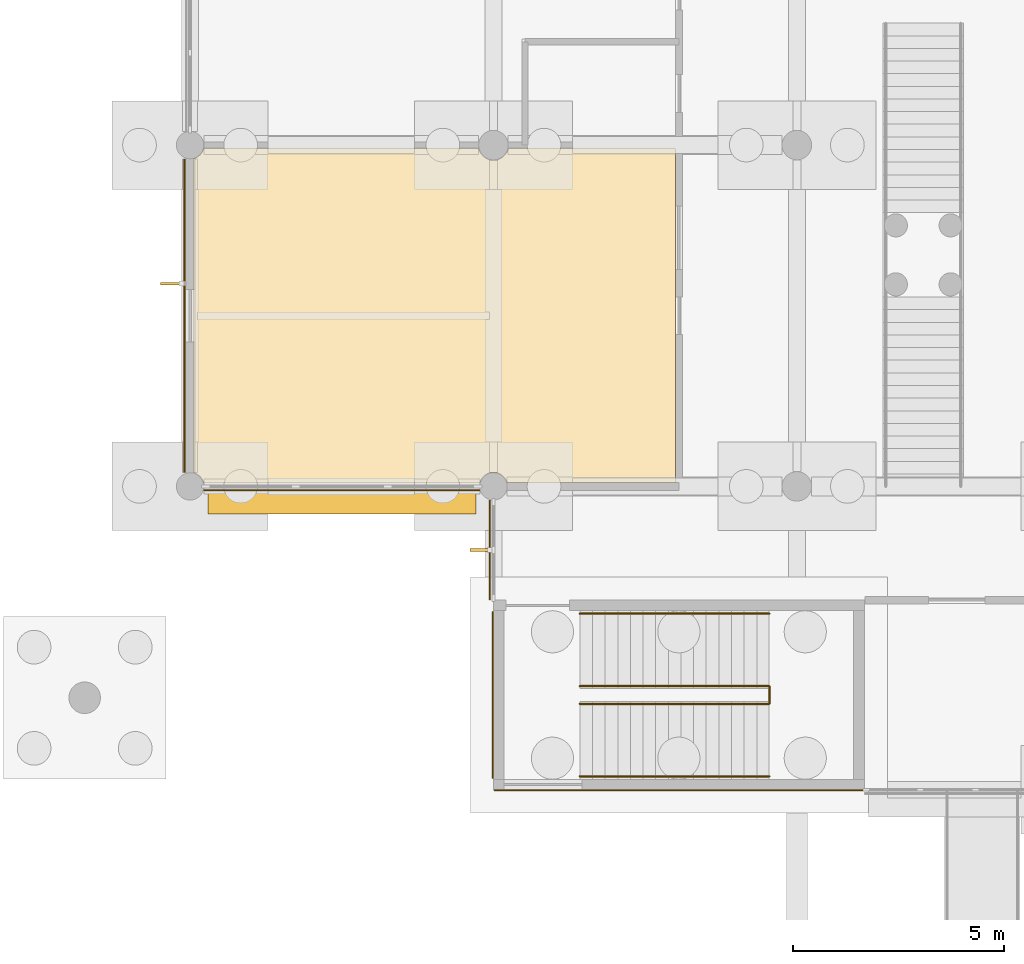
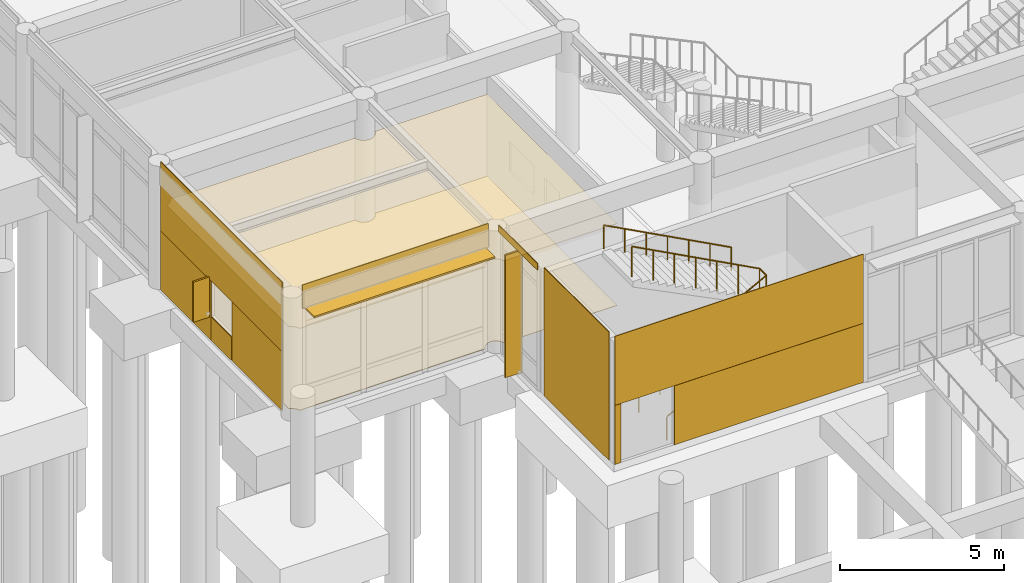
# One storey, part 78 of 103: 12 coverings, 3 railings, 3 shading devices.
"""IFC4 building model written with IfcOpenShell, lengths in metres."""

from ifc_helpers import new_model, si_unit, direction, frame, origin, origin_2d, place, context, subcontext, project, spatial, polyline, rectangle, circle, outline, extrude, material, layer, layer_set, type_object, element, save


model = new_model("IFC4")

# Units and contexts
model_context = context("Model", 3, precision=1e-05, world=origin(), true_north=direction((0.0, 1.0)))
body_context = subcontext(model_context, "Body", "Model", "MODEL_VIEW")
ifc_project = project(units=[si_unit("LENGTHUNIT", "METRE"), si_unit("AREAUNIT", "SQUARE_METRE"), si_unit("VOLUMEUNIT", "CUBIC_METRE"), si_unit("PLANEANGLEUNIT", "RADIAN"), si_unit("MASSUNIT", "GRAM", prefix="KILO")], contexts=[model_context])

# Site, building, storey
site_placement = place(None, origin())
site = spatial("IfcSite", under=ifc_project, at=site_placement, CompositionType="ELEMENT")
building_placement = place(site_placement, origin())
building = spatial("IfcBuilding", under=site, at=building_placement, Name="Namkhue Oval Health Centre", CompositionType="ELEMENT")
storey_placement = place(building_placement, origin())
storey = spatial("IfcBuildingStorey", under=building, at=storey_placement, Name="L00", CompositionType="ELEMENT", Elevation=0.0)

# Coverings
ifc_material_1 = material(Name="Acoustic mineral-fibre cleanroom ceiling", Category="gypsum")
ifc_layer_1 = layer(ifc_material_1, 0.02001953125)
ifc_layer_set_1 = layer_set([ifc_layer_1], Name="Acoustic mineral-fibre cleanroom ceiling")
covering_type_1 = type_object("IfcCoveringType", Name="ACOUSTIC CLEANROOM CEILING 20", PredefinedType="CEILING", material=ifc_layer_set_1)
covering_1_placement = place(storey_placement, frame((0.0, 0.0, 3.050048828125)))
element("IfcCovering", 1, at=covering_1_placement, inside=storey, type_object=covering_type_1, Name="Acoustic Ceiling L00-101 Triage Registration Clinic", PredefinedType="CEILING", context=body_context, shape_type="SweptSolid", body=[
    extrude(outline(polyline([(21.924560546875, 43.280029296875), (21.89013671875, 43.367431640625), (21.8369140625, 43.43701171875), (21.767578125, 43.489990234375), (21.686767578125, 43.523681640625), (21.60009765625, 43.534912109375), (21.51318359375, 43.523681640625), (21.4326171875, 43.489990234375), (21.363037109375, 43.43701171875), (21.309814453125, 43.367431640625), (21.276123046875, 43.284912109375), (14.723876953125, 43.284912109375), (14.690185546875, 43.367431640625), (14.636962890625, 43.43701171875), (14.5673828125, 43.489990234375), (14.485107421875, 43.523681640625), (14.485107421875, 50.976318359375), (14.5673828125, 51.010009765625), (14.636962890625, 51.06298828125), (14.690185546875, 51.132568359375), (14.724609375, 51.219970703125), (21.25048828125, 51.219970703125), (21.252197265625, 51.206787109375), (21.2880859375, 51.1201171875), (21.345458984375, 51.04541015625), (21.419921875, 50.98828125), (21.5068359375, 50.952392578125), (21.60009765625, 50.93994140625), (21.693115234375, 50.952392578125), (21.780029296875, 50.98828125), (21.8544921875, 51.04541015625), (21.911865234375, 51.1201171875), (21.94775390625, 51.206787109375), (21.949462890625, 51.219970703125), (25.919921875, 51.219970703125), (25.919921875, 43.280029296875), (21.924560546875, 43.280029296875)])), origin(), (0.0, 0.0, 1.0), 0.02001953125),
])
ifc_material_2 = material(Name="Homogeneous anti-bacterial clinical vinyl flooring", Category="plastic")
ifc_layer_2 = layer(ifc_material_2, 0.014892578125)
ifc_layer_set_2 = layer_set([ifc_layer_2], Name="Homogeneous anti-bacterial clinical vinyl flooring")
covering_type_2 = type_object("IfcCoveringType", Name="CLINICAL ANTIBACTERIAL VINYL FLOORING 15", PredefinedType="FLOORING", material=ifc_layer_set_2)
covering_2_placement = place(storey_placement, origin())
element("IfcCovering", 2, at=covering_2_placement, inside=storey, type_object=covering_type_2, Name="Clinical Flooring L00-101 Triage Registration Clinic", PredefinedType="FLOORING", context=body_context, shape_type="SweptSolid", body=[
    extrude(outline(polyline([(21.924560546875, 43.280029296875), (21.89013671875, 43.367431640625), (21.8369140625, 43.43701171875), (21.767578125, 43.489990234375), (21.686767578125, 43.523681640625), (21.60009765625, 43.534912109375), (21.51318359375, 43.523681640625), (21.4326171875, 43.489990234375), (21.363037109375, 43.43701171875), (21.309814453125, 43.367431640625), (21.276123046875, 43.284912109375), (14.723876953125, 43.284912109375), (14.690185546875, 43.367431640625), (14.636962890625, 43.43701171875), (14.5673828125, 43.489990234375), (14.485107421875, 43.523681640625), (14.485107421875, 50.976318359375), (14.5673828125, 51.010009765625), (14.636962890625, 51.06298828125), (14.690185546875, 51.132568359375), (14.724609375, 51.219970703125), (21.25048828125, 51.219970703125), (21.252197265625, 51.206787109375), (21.2880859375, 51.1201171875), (21.345458984375, 51.04541015625), (21.419921875, 50.98828125), (21.5068359375, 50.952392578125), (21.60009765625, 50.93994140625), (21.693115234375, 50.952392578125), (21.780029296875, 50.98828125), (21.8544921875, 51.04541015625), (21.911865234375, 51.1201171875), (21.94775390625, 51.206787109375), (21.949462890625, 51.219970703125), (25.919921875, 51.219970703125), (25.919921875, 43.280029296875), (21.924560546875, 43.280029296875)])), origin(), (0.0, 0.0, 1.0), 0.014892578125),
])

# Railings
ifc_material_3 = material(Name="Brushed stainless steel 316L balustrade with laminated glass infill", Category="steel")
railing_type_1 = type_object("IfcRailingType", Name="INTERIOR BALUSTRADE GUARD 1150", PredefinedType="BALUSTRADE", material=ifc_material_3)
railing_1_placement = place(storey_placement, frame((23.64990234375, 38.0400390625, 0.0)))
element("IfcRailing", 3, at=railing_1_placement, inside=storey, type_object=railing_type_1, Name="Stair ST-01 L00 Inner Well Guard", PredefinedType="BALUSTRADE", context=body_context, shape_type="SweptSolid", body=[
    extrude(circle(Radius=0.02392578125, at=origin_2d()), frame((0.0, 0.0, 1.1259765625), z_axis=(0.882360891967, 0.0, 0.470573327259), x_axis=(0.0, 1.0, 0.0)), (0.0, 0.0, 1.0), 5.099853515625),
    extrude(circle(Radius=0.02392578125, at=origin_2d()), frame((4.5, 0.0, 3.52587890625), z_axis=(0.0, 1.0, 0.0), x_axis=(-1.0, 0.0, 0.0)), (0.0, 0.0, 1.0), 0.419921875),
    extrude(circle(Radius=0.02392578125, at=origin_2d()), frame((4.5, 0.419921875, 3.52587890625), z_axis=(-0.882341014787, 0.0, 0.470610596591), x_axis=(0.0, -1.0, 0.0)), (0.0, 0.0, 1.0), 5.10009765625),
    extrude(circle(Radius=0.02099609375, at=origin_2d()), origin(), (0.0, 0.0, 1.0), 1.101806640625),
    extrude(circle(Radius=0.02099609375, at=origin_2d()), frame((0.75, 0.0, 0.39990234375)), (0.0, 0.0, 1.0), 1.101806640625),
    extrude(circle(Radius=0.02099609375, at=origin_2d()), frame((1.5, 0.0, 0.800048828125)), (0.0, 0.0, 1.0), 1.101806640625),
    extrude(circle(Radius=0.02099609375, at=origin_2d()), frame((2.25, 0.0, 1.199951171875)), (0.0, 0.0, 1.0), 1.101806640625),
    extrude(circle(Radius=0.02099609375, at=origin_2d()), frame((3.0, 0.0, 1.599853515625)), (0.0, 0.0, 1.0), 1.101806640625),
    extrude(circle(Radius=0.02099609375, at=origin_2d()), frame((3.75, 0.0, 2.0)), (0.0, 0.0, 1.0), 1.101806640625),
    extrude(circle(Radius=0.02099609375, at=origin_2d()), frame((4.5, 0.0, 2.39990234375)), (0.0, 0.0, 1.0), 1.101806640625),
    extrude(circle(Radius=0.02099609375, at=origin_2d()), frame((4.5, 0.419921875, 2.39990234375)), (0.0, 0.0, 1.0), 1.101806640625),
    extrude(circle(Radius=0.02099609375, at=origin_2d()), frame((3.75, 0.419921875, 2.7998046875)), (0.0, 0.0, 1.0), 1.101806640625),
    extrude(circle(Radius=0.02099609375, at=origin_2d()), frame((3.0, 0.419921875, 3.199951171875)), (0.0, 0.0, 1.0), 1.101806640625),
    extrude(circle(Radius=0.02099609375, at=origin_2d()), frame((2.25, 0.419921875, 3.60009765625)), (0.0, 0.0, 1.0), 1.101806640625),
    extrude(circle(Radius=0.02099609375, at=origin_2d()), frame((1.5, 0.419921875, 4.0)), (0.0, 0.0, 1.0), 1.101806640625),
    extrude(circle(Radius=0.02099609375, at=origin_2d()), frame((0.75, 0.419921875, 4.39990234375)), (0.0, 0.0, 1.0), 1.101806640625),
    extrude(circle(Radius=0.02099609375, at=origin_2d()), frame((0.0, 0.419921875, 4.800048828125)), (0.0, 0.0, 1.0), 1.101806640625),
])
ifc_material_4 = material(Name="Brushed stainless steel 304 tubular handrail", Category="steel")
railing_type_2 = type_object("IfcRailingType", Name="INTERIOR STAIR HANDRAIL 900", PredefinedType="HANDRAIL", material=ifc_material_4)
railing_2_placement = place(storey_placement, frame((23.64990234375, 36.320068359375, 0.0)))
element("IfcRailing", 4, at=railing_2_placement, inside=storey, type_object=railing_type_2, Name="Stair ST-01 L00 Flight 1 Handrail", PredefinedType="HANDRAIL", context=body_context, shape_type="SweptSolid", body=[
    extrude(circle(Radius=0.02392578125, at=origin_2d()), frame((0.0, 0.0, 0.8759765625), z_axis=(0.882360891967, 0.0, 0.470573327259), x_axis=(0.0, 1.0, 0.0)), (0.0, 0.0, 1.0), 5.099853515625),
    extrude(circle(Radius=0.02099609375, at=origin_2d()), origin(), (0.0, 0.0, 1.0), 0.851806640625),
    extrude(circle(Radius=0.02099609375, at=origin_2d()), frame((0.75, 0.0, 0.39990234375)), (0.0, 0.0, 1.0), 0.851806640625),
    extrude(circle(Radius=0.02099609375, at=origin_2d()), frame((1.5, 0.0, 0.800048828125)), (0.0, 0.0, 1.0), 0.851806640625),
    extrude(circle(Radius=0.02099609375, at=origin_2d()), frame((2.25, 0.0, 1.199951171875)), (0.0, 0.0, 1.0), 0.851806640625),
    extrude(circle(Radius=0.02099609375, at=origin_2d()), frame((3.0, 0.0, 1.599853515625)), (0.0, 0.0, 1.0), 0.851806640625),
    extrude(circle(Radius=0.02099609375, at=origin_2d()), frame((3.75, 0.0, 2.0)), (0.0, 0.0, 1.0), 0.851806640625),
    extrude(circle(Radius=0.02099609375, at=origin_2d()), frame((4.5, 0.0, 2.39990234375)), (0.0, 0.0, 1.0), 0.851806640625),
])
railing_3_placement = place(storey_placement, frame((28.14990234375, 40.179931640625, 2.39990234375)))
element("IfcRailing", 5, at=railing_3_placement, inside=storey, type_object=railing_type_2, Name="Stair ST-01 L00 Flight 2 Handrail", PredefinedType="HANDRAIL", context=body_context, shape_type="SweptSolid", body=[
    extrude(circle(Radius=0.02392578125, at=origin_2d()), frame((0.0, 0.0, 0.8759765625), z_axis=(-0.882341014787, 0.0, 0.470610596591), x_axis=(0.0, -1.0, 0.0)), (0.0, 0.0, 1.0), 5.10009765625),
    extrude(circle(Radius=0.02099609375, at=origin_2d()), origin(), (0.0, 0.0, 1.0), 0.851806640625),
    extrude(circle(Radius=0.02099609375, at=origin_2d()), frame((-0.75, 0.0, 0.39990234375)), (0.0, 0.0, 1.0), 0.851806640625),
    extrude(circle(Radius=0.02099609375, at=origin_2d()), frame((-1.5, 0.0, 0.800048828125)), (0.0, 0.0, 1.0), 0.851806640625),
    extrude(circle(Radius=0.02099609375, at=origin_2d()), frame((-2.25, 0.0, 1.2001953125)), (0.0, 0.0, 1.0), 0.851806640625),
    extrude(circle(Radius=0.02099609375, at=origin_2d()), frame((-3.0, 0.0, 1.60009765625)), (0.0, 0.0, 1.0), 0.851806640625),
    extrude(circle(Radius=0.02099609375, at=origin_2d()), frame((-3.75, 0.0, 2.0)), (0.0, 0.0, 1.0), 0.851806640625),
    extrude(circle(Radius=0.02099609375, at=origin_2d()), frame((-4.5, 0.0, 2.400146484375)), (0.0, 0.0, 1.0), 0.851806640625),
])

# Shading devices
ifc_material_5 = material(Name="Anodised aluminium EN AW-6063 T6", Category="aluminium")
ifc_layer_3 = layer(ifc_material_5, 0.050048828125)
ifc_layer_set_3 = layer_set([ifc_layer_3], Name="Anodised aluminium EN AW-6063 T6")
shading_device_type_1 = type_object("IfcShadingDeviceType", Name="STORM SHUTTER LOUVRE 650", PredefinedType="SHUTTER", material=ifc_layer_set_3)
shading_device_1_placement = place(storey_placement, frame((18.0, 42.875, 3.869873046875), z_axis=(0.0, 0.0, 1.0), x_axis=(1.0, 0.0, 0.0)))
element("IfcShadingDevice", 6, at=shading_device_1_placement, inside=storey, type_object=shading_device_type_1, Name="Volume V1 L00 Horizontal Monsoon Sun Louvre 21", PredefinedType="SHUTTER", context=body_context, shape_type="SweptSolid", body=[
    extrude(rectangle(XDim=6.360107421875, YDim=0.64990234375, at=origin_2d()), origin(), (0.0, 0.0, 1.0), 0.06005859375),
])
shading_device_type_2 = type_object("IfcShadingDeviceType", Name="VERTICAL SOLAR FIN 600", PredefinedType="USERDEFINED", material=ifc_material_5)
shading_device_2_placement = place(storey_placement, frame((14.0, 48.014892578125, 0.800048828125), z_axis=(0.0, 0.0, 1.0), x_axis=(-1.0, 0.0, 0.0)))
element("IfcShadingDevice", 7, at=shading_device_2_placement, inside=storey, type_object=shading_device_type_2, Name="Volume V1 L00 Window Solar Fin 20", ObjectType="SOLAR FIN", PredefinedType="USERDEFINED", context=body_context, shape_type="SweptSolid", body=[
    extrude(rectangle(XDim=0.60009765625, YDim=0.06005859375, at=origin_2d()), origin(), (0.0, 0.0, 1.0), 1.5),
])
shading_device_3_placement = place(storey_placement, frame((21.340087890625, 41.69091796875, 0.0), z_axis=(0.0, 0.0, 1.0), x_axis=(-1.0, 0.0, 0.0)))
element("IfcShadingDevice", 8, at=shading_device_3_placement, inside=storey, type_object=shading_device_type_2, Name="Volume V1 L00 Extruded Aluminium Solar Fin 22", ObjectType="SOLAR FIN", PredefinedType="USERDEFINED", context=body_context, shape_type="SweptSolid", body=[
    extrude(rectangle(XDim=0.60009765625, YDim=0.06005859375, at=origin_2d()), origin(), (0.0, 0.0, 1.0), 4.56494140625),
])

# Coverings
ifc_material_6 = material(Name="White glass-fibre reinforced concrete GRC rainscreen cladding", Category="concrete")
ifc_layer_4 = layer(ifc_material_6, 0.02490234375)
ifc_layer_set_4 = layer_set([ifc_layer_4], Name="White glass-fibre reinforced concrete GRC rainscreen cladding")
covering_type_3 = type_object("IfcCoveringType", Name="WHITE GRC RAINSCREEN CLADDING 25", PredefinedType="CLADDING", material=ifc_layer_set_4)
covering_3_placement = place(storey_placement, frame((14.26806640625, 47.25, 2.21484375), z_axis=(0.0, 0.0, 1.0), x_axis=(0.0, -1.0, 0.0)))
element("IfcCovering", 9, at=covering_3_placement, inside=storey, type_object=covering_type_3, Name="Volume V1 L00 Facade 7 White GRC Cladding 1", PredefinedType="CLADDING", context=body_context, shape_type="SweptSolid", body=[
    extrude(rectangle(XDim=7.419921875, YDim=0.02490234375, at=origin_2d()), origin(), (0.0, 0.0, 1.0), 2.574951171875),
])
covering_4_placement = place(storey_placement, frame((14.26806640625, 49.425048828125, 0.01025390625), z_axis=(0.0, 0.0, 1.0), x_axis=(0.0, -1.0, 0.0)))
element("IfcCovering", 10, at=covering_4_placement, inside=storey, type_object=covering_type_3, Name="Volume V1 L00 Facade 7 White GRC Cladding 2", PredefinedType="CLADDING", context=body_context, shape_type="SweptSolid", body=[
    extrude(rectangle(XDim=3.070068359375, YDim=0.02490234375, at=origin_2d()), origin(), (0.0, 0.0, 1.0), 2.199951171875),
])
covering_5_placement = place(storey_placement, frame((14.26806640625, 47.25, 0.010009765625), z_axis=(0.0, 0.0, 1.0), x_axis=(0.0, -1.0, 0.0)))
element("IfcCovering", 11, at=covering_5_placement, inside=storey, type_object=covering_type_3, Name="Volume V1 L00 Facade 7 White GRC Cladding 3", PredefinedType="CLADDING", context=body_context, shape_type="SweptSolid", body=[
    extrude(rectangle(XDim=1.27001953125, YDim=0.02490234375, at=origin_2d()), origin(), (0.0, 0.0, 1.0), 0.875),
])
covering_6_placement = place(storey_placement, frame((14.26806640625, 45.074951171875, 0.01025390625), z_axis=(0.0, 0.0, 1.0), x_axis=(0.0, -1.0, 0.0)))
element("IfcCovering", 12, at=covering_6_placement, inside=storey, type_object=covering_type_3, Name="Volume V1 L00 Facade 7 White GRC Cladding 4", PredefinedType="CLADDING", context=body_context, shape_type="SweptSolid", body=[
    extrude(rectangle(XDim=3.070068359375, YDim=0.02490234375, at=origin_2d()), origin(), (0.0, 0.0, 1.0), 2.199951171875),
])
covering_7_placement = place(storey_placement, frame((18.0, 43.111572265625, 3.925048828125), z_axis=(0.0, 0.0, 1.0), x_axis=(1.0, 0.0, 0.0)))
element("IfcCovering", 13, at=covering_7_placement, inside=storey, type_object=covering_type_3, Name="Volume V1 L00 Curtain Wall Spandrel Cladding 18", PredefinedType="CLADDING", context=body_context, shape_type="SweptSolid", body=[
    extrude(rectangle(XDim=6.550048828125, YDim=0.02490234375, at=origin_2d()), origin(), (0.0, 0.0, 1.0), 0.875),
])
covering_8_placement = place(storey_placement, frame((21.511474609375, 41.69091796875, 4.550048828125), z_axis=(0.0, 0.0, 1.0), x_axis=(0.0, -1.0, 0.0)))
element("IfcCovering", 14, at=covering_8_placement, inside=storey, type_object=covering_type_3, Name="Volume V1 L00 Curtain Wall Spandrel Cladding 19", PredefinedType="CLADDING", context=body_context, shape_type="SweptSolid", body=[
    extrude(rectangle(XDim=2.367919921875, YDim=0.02490234375, at=origin_2d()), origin(), (0.0, 0.0, 1.0), 0.25),
])
covering_9_placement = place(storey_placement, frame((26.0, 35.988037109375, 2.21484375), z_axis=(0.0, 0.0, 1.0), x_axis=(1.0, 0.0, 0.0)))
element("IfcCovering", 15, at=covering_9_placement, inside=storey, type_object=covering_type_3, Name="Core SC-01 L00 Core S White GRC Cladding 1", PredefinedType="CLADDING", context=body_context, shape_type="SweptSolid", body=[
    extrude(rectangle(XDim=8.760009765625, YDim=0.02490234375, at=origin_2d()), origin(), (0.0, 0.0, 1.0), 2.574951171875),
])
covering_10_placement = place(storey_placement, frame((21.7275390625, 35.988037109375, 0.01025390625), z_axis=(0.0, 0.0, 1.0), x_axis=(1.0, 0.0, 0.0)))
element("IfcCovering", 16, at=covering_10_placement, inside=storey, type_object=covering_type_3, Name="Core SC-01 L00 Core S White GRC Cladding 2", PredefinedType="CLADDING", context=body_context, shape_type="SweptSolid", body=[
    extrude(rectangle(XDim=0.215087890625, YDim=0.02490234375, at=origin_2d()), origin(), (0.0, 0.0, 1.0), 2.199951171875),
])
covering_11_placement = place(storey_placement, frame((27.047607421875, 35.988037109375, 0.01025390625), z_axis=(0.0, 0.0, 1.0), x_axis=(1.0, 0.0, 0.0)))
element("IfcCovering", 17, at=covering_11_placement, inside=storey, type_object=covering_type_3, Name="Core SC-01 L00 Core S White GRC Cladding 3", PredefinedType="CLADDING", context=body_context, shape_type="SweptSolid", body=[
    extrude(rectangle(XDim=6.6650390625, YDim=0.02490234375, at=origin_2d()), origin(), (0.0, 0.0, 1.0), 2.199951171875),
])
covering_12_placement = place(storey_placement, frame((21.587890625, 38.25, 0.009765625), z_axis=(0.0, 0.0, 1.0), x_axis=(0.0, -1.0, 0.0)))
element("IfcCovering", 18, at=covering_12_placement, inside=storey, type_object=covering_type_3, Name="Core SC-01 L00 Core W White GRC Cladding 1", PredefinedType="CLADDING", context=body_context, shape_type="SweptSolid", body=[
    extrude(rectangle(XDim=3.9599609375, YDim=0.02490234375, at=origin_2d()), origin(), (0.0, 0.0, 1.0), 4.780029296875),
])

save(model, "model.ifc")
